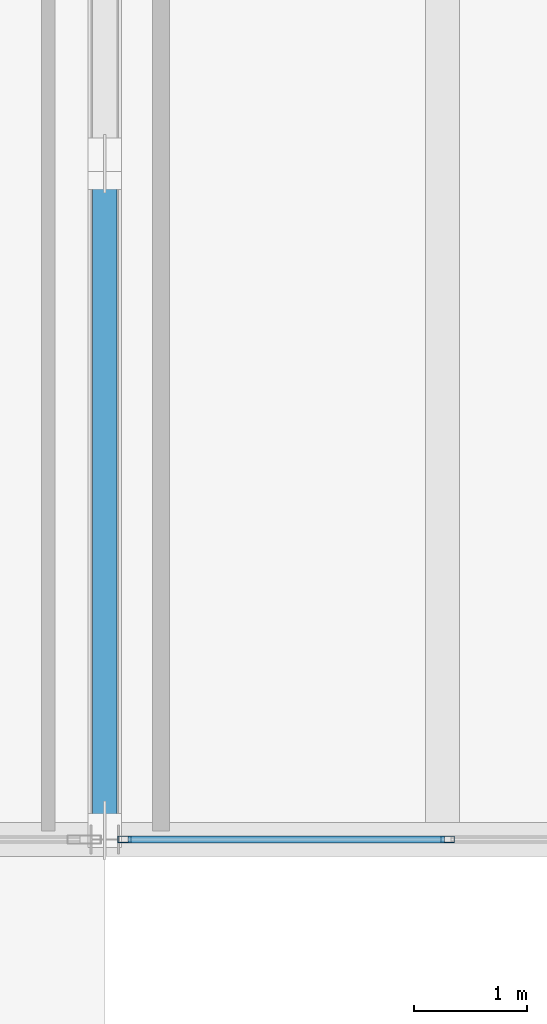
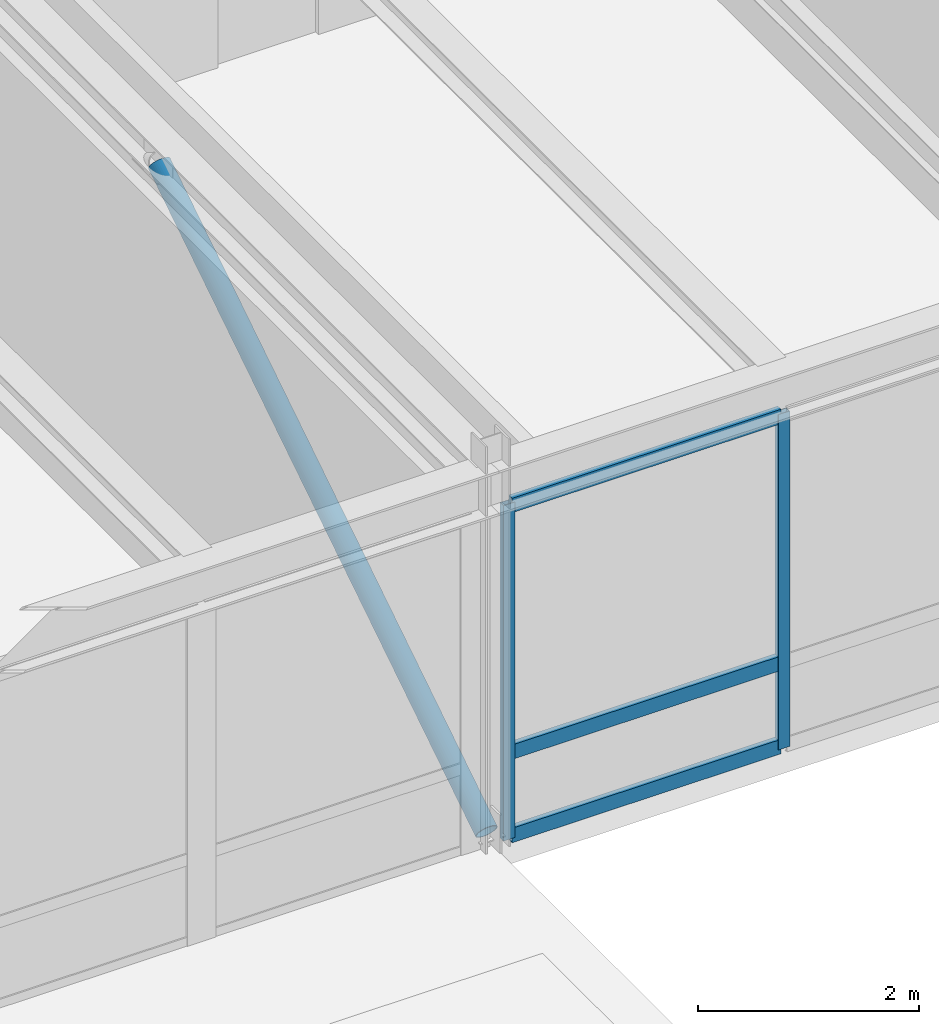
# One storey, part 79 of 142: 6 members, 1 element without a shape of its own.
"""IFC4 building model written with IfcOpenShell, lengths in metres."""

from ifc_helpers import new_model, si_unit, direction, frame, origin, origin_2d, place, context, subcontext, project, spatial, hollow_rectangle, hollow_circle, extrude, material, layer, layer_set, material_profile, profile_set, type_object, element, aggregate, save


model = new_model("IFC4")

# Units and contexts
model_context = context("Model", 3, precision=1e-05, world=origin(), true_north=direction((0.0, 1.0)))
body_context = subcontext(model_context, "Body", "Model", "MODEL_VIEW")
ifc_project = project(units=[si_unit("LENGTHUNIT", "METRE"), si_unit("AREAUNIT", "SQUARE_METRE"), si_unit("VOLUMEUNIT", "CUBIC_METRE"), si_unit("PLANEANGLEUNIT", "RADIAN"), si_unit("MASSUNIT", "GRAM", prefix="KILO")], contexts=[model_context])

# Site, building, storey
site_placement = place(None, origin())
site = spatial("IfcSite", under=ifc_project, at=site_placement, CompositionType="ELEMENT")
building_placement = place(site_placement, origin())
building = spatial("IfcBuilding", under=site, at=building_placement, Name="Montelvaro Courts of Justice", CompositionType="ELEMENT")
storey_placement = place(building_placement, frame((0.0, 0.0, 14.39990234375)))
storey = spatial("IfcBuildingStorey", under=building, at=storey_placement, Name="L03", CompositionType="ELEMENT", Elevation=14.39990234375)

# Curtain wall, members
ifc_material_1 = material(Name="Anodised aluminium EN AW-6063", Category="aluminium")
ifc_layer = layer(ifc_material_1, 0.159912109375)
ifc_layer_set = layer_set([ifc_layer], Name="Anodised aluminium EN AW-6063")
curtain_wall_type = type_object("IfcCurtainWallType", Name="CurtainWall_18_868x418", PredefinedType="USERDEFINED", material=ifc_layer_set)
curtain_wall_placement = place(storey_placement, origin())
curtain_wall = element("IfcCurtainWall", 1, at=curtain_wall_placement, inside=storey, type_object=curtain_wall_type, Name="Curtain Wall CW-18 (L03)", ObjectType="CURTAIN WALL", PredefinedType="USERDEFINED")
ifc_material_profile_1 = material_profile(ifc_material_1, hollow_rectangle(XDim=0.06005859375, YDim=0.1201171875, WallThickness=0.00341796875, at=origin_2d()), Name="ALU-M 60x120")
ifc_profile_set_1 = profile_set([ifc_material_profile_1], Name="Anodised aluminium EN AW-6063")
member_type_1 = type_object("IfcMemberType", Name="CurtainWall_Mullion_60x120", PredefinedType="MULLION", material=ifc_profile_set_1)
member_1_placement = place(storey_placement, frame((126.175048828125, 66.0, 0.0), z_axis=(0.0, 0.0, 1.0), x_axis=(0.0, 1.0, 0.0)))
member_1 = element("IfcMember", 2, at=member_1_placement, type_object=member_type_1, Name="CW-18 mullion 1", PredefinedType="MULLION", context=body_context, shape_type="SweptSolid", body=[
    extrude(hollow_rectangle(XDim=0.06005859375, YDim=0.1201171875, WallThickness=0.00341796875, at=origin_2d()), origin(), (0.0, 0.0, 1.0), 3.705078125),
])
member_2_placement = place(storey_placement, frame((129.044921875, 66.0, 0.0), z_axis=(0.0, 0.0, 1.0), x_axis=(0.0, 1.0, 0.0)))
member_2 = element("IfcMember", 3, at=member_2_placement, type_object=member_type_1, Name="CW-18 mullion 2", PredefinedType="MULLION", context=body_context, shape_type="SweptSolid", body=[
    extrude(hollow_rectangle(XDim=0.06005859375, YDim=0.1201171875, WallThickness=0.00341796875, at=origin_2d()), origin(), (0.0, 0.0, 1.0), 3.705078125),
])
ifc_material_profile_2 = material_profile(ifc_material_1, hollow_rectangle(XDim=0.06005859375, YDim=0.159912109375, WallThickness=0.00439453125, at=origin_2d()), Name="ALU-T 60x160")
ifc_profile_set_2 = profile_set([ifc_material_profile_2], Name="Anodised aluminium EN AW-6063")
member_type_2 = type_object("IfcMemberType", Name="CurtainWall_Transom_60x160", PredefinedType="USERDEFINED", material=ifc_profile_set_2)
member_3_placement = place(storey_placement, frame((126.205078125, 66.0, 0.030029296875), z_axis=(1.0, 0.0, 0.0), x_axis=(0.0, 1.0, 0.0)))
member_3 = element("IfcMember", 4, at=member_3_placement, type_object=member_type_2, Name="CW-18 transom 1.1", ObjectType="TRANSOM", PredefinedType="USERDEFINED", context=body_context, shape_type="SweptSolid", body=[
    extrude(hollow_rectangle(XDim=0.06005859375, YDim=0.159912109375, WallThickness=0.00439453125, at=origin_2d()), origin(), (0.0, 0.0, 1.0), 2.809814453125),
])
member_4_placement = place(storey_placement, frame((126.205078125, 66.0, 0.9501953125), z_axis=(1.0, 0.0, 0.0), x_axis=(0.0, 1.0, 0.0)))
member_4 = element("IfcMember", 5, at=member_4_placement, type_object=member_type_2, Name="CW-18 transom 1.2", ObjectType="TRANSOM", PredefinedType="USERDEFINED", context=body_context, shape_type="SweptSolid", body=[
    extrude(hollow_rectangle(XDim=0.06005859375, YDim=0.159912109375, WallThickness=0.00439453125, at=origin_2d()), origin(), (0.0, 0.0, 1.0), 2.809814453125),
])
member_5_placement = place(storey_placement, frame((126.205078125, 66.0, 3.675048828125), z_axis=(1.0, 0.0, 0.0), x_axis=(0.0, 1.0, 0.0)))
member_5 = element("IfcMember", 6, at=member_5_placement, type_object=member_type_2, Name="CW-18 transom 1.3", ObjectType="TRANSOM", PredefinedType="USERDEFINED", context=body_context, shape_type="SweptSolid", body=[
    extrude(hollow_rectangle(XDim=0.06005859375, YDim=0.159912109375, WallThickness=0.00439453125, at=origin_2d()), origin(), (0.0, 0.0, 1.0), 2.809814453125),
])
aggregate(curtain_wall, [member_1, member_2, member_3, member_4, member_5])

# Member
ifc_material_2 = material(Name="Steel S355", Category="steel")
ifc_material_profile_3 = material_profile(ifc_material_2, hollow_circle(Radius=0.109619140625, WallThickness=0.010009765625, at=origin_2d()), Name="CHS 219.1x10")
ifc_profile_set_3 = profile_set([ifc_material_profile_3], Name="Steel S355")
member_type_3 = type_object("IfcMemberType", Name="Mem_CHS219_Brace", PredefinedType="BRACE", material=ifc_profile_set_3)
member_6_placement = place(storey_placement, frame((126.0, 66.080078125, 0.080078125), z_axis=(0.0, 0.842188127778, 0.539183788174), x_axis=(-1.0, 0.0, 0.0)))
element("IfcMember", 7, at=member_6_placement, inside=storey, type_object=member_type_3, Name="Lateral Braced Frame CBF3 Diagonal 1 (L03)", PredefinedType="BRACE", context=body_context, shape_type="SweptSolid", body=[
    extrude(hollow_circle(Radius=0.109619140625, WallThickness=0.010009765625, at=origin_2d()), origin(), (0.0, 0.0, 1.0), 7.029296875),
])

save(model, "model.ifc")
